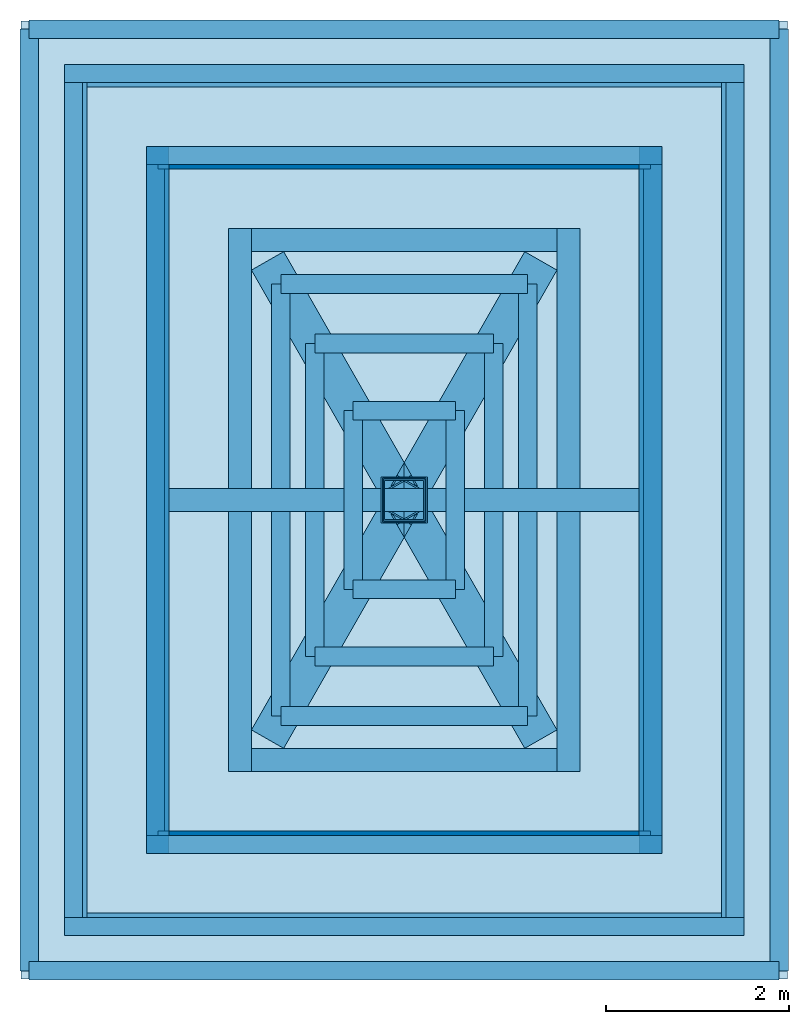
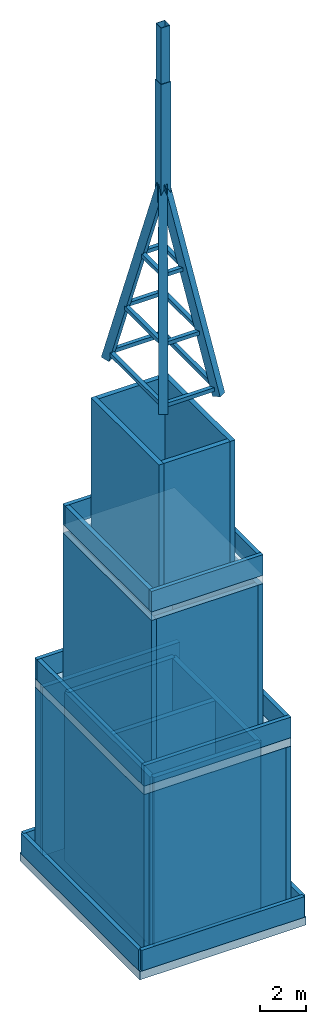
# One storey: 29 walls, 18 members, 3 slabs.
"""IFC4 building model written with IfcOpenShell, lengths in metres."""

from ifc_helpers import new_model, si_unit, direction, frame, frame_2d, origin, origin_2d, place, context, subcontext, project, spatial, polyline, rectangle, hollow_rectangle, outline, extrude, source, transform, mapped, material, layer, layer_set, material_profile, profile_set, type_object, element, save


model = new_model("IFC4")

# Units and contexts
model_context = context("Model", 3, precision=1e-05, world=origin(), true_north=direction((0.0, 1.0)))
body_context = subcontext(model_context, "Body", "Model", "MODEL_VIEW")
ifc_project = project(units=[si_unit("LENGTHUNIT", "METRE"), si_unit("AREAUNIT", "SQUARE_METRE"), si_unit("VOLUMEUNIT", "CUBIC_METRE"), si_unit("PLANEANGLEUNIT", "RADIAN"), si_unit("MASSUNIT", "GRAM", prefix="KILO")], contexts=[model_context])

# Site, building, storey
site_placement = place(None, origin())
site = spatial("IfcSite", under=ifc_project, at=site_placement, CompositionType="ELEMENT")
building_placement = place(site_placement, origin())
building = spatial("IfcBuilding", under=site, at=building_placement, Name="Aurelian Terraces", CompositionType="ELEMENT")
storey_placement = place(building_placement, frame((0.0, 0.0, 403.5)))
storey = spatial("IfcBuildingStorey", under=building, at=storey_placement, Name="ROOF", CompositionType="ELEMENT", Elevation=403.5)

# Members
ifc_material_1 = material(Name="Steel ASTM A500 Gr C", Category="steel")
ifc_material_profile_1 = material_profile(ifc_material_1, hollow_rectangle(XDim=0.4572, YDim=0.4572, WallThickness=0.0148, at=origin_2d()))
ifc_profile_set_1 = profile_set([ifc_material_profile_1], Name="Steel ASTM A500 Gr C")
member_type_1 = type_object("IfcMemberType", Name="SPIRE FINIAL HSS18X18X5/8", PredefinedType="STUD", material=ifc_profile_set_1)
member_1_placement = place(storey_placement, frame((42.0, 5.25, 43.0), z_axis=(0.0, 0.0, 1.0), x_axis=(1.0, 0.0, 0.0)))
element("IfcMember", 1, at=member_1_placement, inside=storey, type_object=member_type_1, Name="Spire finial", PredefinedType="STUD", context=body_context, shape_type="SweptSolid", body=[
    extrude(hollow_rectangle(XDim=0.4572, YDim=0.4572, WallThickness=0.0148, at=origin_2d()), origin(), (0.0, 0.0, 1.0), 3.0),
])
ifc_material_profile_2 = material_profile(ifc_material_1, hollow_rectangle(XDim=0.4064, YDim=0.4064, WallThickness=0.0177, at=origin_2d()))
ifc_profile_set_2 = profile_set([ifc_material_profile_2], Name="Steel ASTM A500 Gr C")
member_type_2 = type_object("IfcMemberType", Name="SPIRE LEG HSS16X16X3/4", PredefinedType="BRACE", material=ifc_profile_set_2)
member_2_placement = place(storey_placement, frame((40.6, 2.8, 27.2), z_axis=(0.130619920067, 0.228584860117, 0.964721409635), x_axis=(-0.868243142124, 0.496138938357, 0.0)))
element("IfcMember", 2, at=member_2_placement, inside=storey, type_object=member_type_2, Name="Spire leg 1", PredefinedType="BRACE", context=body_context, shape_type="SweptSolid", body=[
    extrude(hollow_rectangle(XDim=0.4064, YDim=0.4064, WallThickness=0.0177, at=origin_2d()), origin(), (0.0, 0.0, 1.0), 10.7181),
])
ifc_material_profile_3 = material_profile(ifc_material_1, hollow_rectangle(XDim=0.508, YDim=0.508, WallThickness=0.0148, at=origin_2d()))
ifc_profile_set_3 = profile_set([ifc_material_profile_3], Name="Steel ASTM A500 Gr C")
member_type_3 = type_object("IfcMemberType", Name="SPIRE MAST HSS20X20X5/8", PredefinedType="STUD", material=ifc_profile_set_3)
member_3_placement = place(storey_placement, frame((42.0, 5.25, 36.54), z_axis=(0.0, 0.0, 1.0), x_axis=(1.0, 0.0, 0.0)))
element("IfcMember", 3, at=member_3_placement, inside=storey, type_object=member_type_3, Name="Spire mast", PredefinedType="STUD", context=body_context, shape_type="SweptSolid", body=[
    extrude(hollow_rectangle(XDim=0.508, YDim=0.508, WallThickness=0.0148, at=origin_2d()), origin(), (0.0, 0.0, 1.0), 6.46),
])
ifc_material_profile_4 = material_profile(ifc_material_1, hollow_rectangle(XDim=0.2032, YDim=0.2032, WallThickness=0.0089, at=origin_2d()))
ifc_profile_set_4 = profile_set([ifc_material_profile_4], Name="Steel ASTM A500 Gr C")
member_type_4 = type_object("IfcMemberType", Name="SPIRE RING HSS8X8X3/8", PredefinedType="BRACE", material=ifc_profile_set_4)
member_4_placement = place(storey_placement, frame((41.02, 3.535, 30.302), z_axis=(1.0, 0.0, 0.0), x_axis=(0.0, 1.0, 0.0)))
element("IfcMember", 4, at=member_4_placement, inside=storey, type_object=member_type_4, Name="Spire ring brace low 1", PredefinedType="BRACE", context=body_context, shape_type="SweptSolid", body=[
    extrude(hollow_rectangle(XDim=0.2032, YDim=0.2032, WallThickness=0.0089, at=origin_2d()), origin(), (0.0, 0.0, 1.0), 1.96),
])
member_5_placement = place(storey_placement, frame((42.98, 3.535, 30.302), z_axis=(0.0, 1.0, 0.0), x_axis=(-1.0, 0.0, 0.0)))
element("IfcMember", 5, at=member_5_placement, inside=storey, type_object=member_type_4, Name="Spire ring brace low 2", PredefinedType="BRACE", context=body_context, shape_type="SweptSolid", body=[
    extrude(hollow_rectangle(XDim=0.2032, YDim=0.2032, WallThickness=0.0089, at=origin_2d()), origin(), (0.0, 0.0, 1.0), 3.43),
])
member_6_placement = place(storey_placement, frame((41.44, 4.27, 33.404), z_axis=(1.0, 0.0, 0.0), x_axis=(0.0, 1.0, 0.0)))
element("IfcMember", 6, at=member_6_placement, inside=storey, type_object=member_type_4, Name="Spire ring brace high 1", PredefinedType="BRACE", context=body_context, shape_type="SweptSolid", body=[
    extrude(hollow_rectangle(XDim=0.2032, YDim=0.2032, WallThickness=0.0089, at=origin_2d()), origin(), (0.0, 0.0, 1.0), 1.12),
])
member_7_placement = place(storey_placement, frame((40.6474, 2.8829, 27.55), z_axis=(1.0, 0.0, 0.0), x_axis=(0.0, 1.0, 0.0)))
element("IfcMember", 7, at=member_7_placement, inside=storey, type_object=member_type_4, Name="Spire ring brace foot 1", PredefinedType="BRACE", context=body_context, shape_type="SweptSolid", body=[
    extrude(hollow_rectangle(XDim=0.2032, YDim=0.2032, WallThickness=0.0089, at=origin_2d()), origin(), (0.0, 0.0, 1.0), 2.7052),
])
member_8_placement = place(storey_placement, frame((43.3526, 2.8829, 27.55), z_axis=(0.0, 1.0, 0.0), x_axis=(-1.0, 0.0, 0.0)))
element("IfcMember", 8, at=member_8_placement, inside=storey, type_object=member_type_4, Name="Spire ring brace foot 2", PredefinedType="BRACE", context=body_context, shape_type="SweptSolid", body=[
    extrude(hollow_rectangle(XDim=0.2032, YDim=0.2032, WallThickness=0.0089, at=origin_2d()), origin(), (0.0, 0.0, 1.0), 4.7342),
])
shared_shape_1 = source(origin(), body_context, "Body", "SweptSolid", [
    extrude(hollow_rectangle(XDim=0.4064, YDim=0.4064, WallThickness=0.0177, at=origin_2d()), origin(), (0.0, 0.0, 1.0), 10.7181),
])
for number, where, z_axis, x_axis, name in (
    (9, (43.4, 2.8, 27.2), (-0.130619920067, 0.228584860117, 0.964721409635), (-0.868243142124, -0.496138938357, 0.0), "Spire leg 2"),
    (10, (40.6, 7.7, 27.2), (0.130619920067, -0.228584860117, 0.964721409635), (0.868243142124, 0.496138938357, 0.0), "Spire leg 3"),
    (11, (43.4, 7.7, 27.2), (-0.130619920067, -0.228584860117, 0.964721409635), (0.868243142124, -0.496138938357, 0.0), "Spire leg 4"),
):
    element("IfcMember", number, at=place(storey_placement, frame(where, z_axis=z_axis, x_axis=x_axis)), inside=storey, type_object=member_type_2, Name=name, PredefinedType="BRACE", context=body_context, shape_type="MappedRepresentation", body=[
        mapped(shared_shape_1, transform((0.0, 0.0, 0.0), scale=1.0)),
    ])
shared_shape_2 = source(origin(), body_context, "Body", "SweptSolid", [
    extrude(hollow_rectangle(XDim=0.2032, YDim=0.2032, WallThickness=0.0089, at=origin_2d()), origin(), (0.0, 0.0, 1.0), 1.96),
])
for number, where, z_axis, x_axis, name in (
    (12, (42.98, 6.965, 30.302), (-1.0, 0.0, 0.0), (0.0, -1.0, 0.0), "Spire ring brace low 3"),
    (13, (42.56, 4.27, 33.404), (0.0, 1.0, 0.0), (-1.0, 0.0, 0.0), "Spire ring brace high 2"),
    (14, (41.44, 6.23, 33.404), (0.0, -1.0, 0.0), (1.0, 0.0, 0.0), "Spire ring brace high 4"),
):
    element("IfcMember", number, at=place(storey_placement, frame(where, z_axis=z_axis, x_axis=x_axis)), inside=storey, type_object=member_type_4, Name=name, PredefinedType="BRACE", context=body_context, shape_type="MappedRepresentation", body=[
        mapped(shared_shape_2, transform((0.0, 0.0, 0.0), scale=1.0)),
    ])
shared_shape_3 = source(origin(), body_context, "Body", "SweptSolid", [
    extrude(hollow_rectangle(XDim=0.2032, YDim=0.2032, WallThickness=0.0089, at=origin_2d()), origin(), (0.0, 0.0, 1.0), 3.43),
])
member_9_placement = place(storey_placement, frame((41.02, 6.965, 30.302), z_axis=(0.0, -1.0, 0.0), x_axis=(1.0, 0.0, 0.0)))
element("IfcMember", 15, at=member_9_placement, inside=storey, type_object=member_type_4, Name="Spire ring brace low 4", PredefinedType="BRACE", context=body_context, shape_type="MappedRepresentation", body=[
    mapped(shared_shape_3, transform((0.0, 0.0, 0.0), scale=1.0)),
])
shared_shape_4 = source(origin(), body_context, "Body", "SweptSolid", [
    extrude(hollow_rectangle(XDim=0.2032, YDim=0.2032, WallThickness=0.0089, at=origin_2d()), origin(), (0.0, 0.0, 1.0), 1.12),
])
member_10_placement = place(storey_placement, frame((42.56, 6.23, 33.404), z_axis=(-1.0, 0.0, 0.0), x_axis=(0.0, -1.0, 0.0)))
element("IfcMember", 16, at=member_10_placement, inside=storey, type_object=member_type_4, Name="Spire ring brace high 3", PredefinedType="BRACE", context=body_context, shape_type="MappedRepresentation", body=[
    mapped(shared_shape_4, transform((0.0, 0.0, 0.0), scale=1.0)),
])
shared_shape_5 = source(origin(), body_context, "Body", "SweptSolid", [
    extrude(hollow_rectangle(XDim=0.2032, YDim=0.2032, WallThickness=0.0089, at=origin_2d()), origin(), (0.0, 0.0, 1.0), 2.7052),
])
member_11_placement = place(storey_placement, frame((43.3526, 7.6171, 27.55), z_axis=(-1.0, 0.0, 0.0), x_axis=(0.0, -1.0, 0.0)))
element("IfcMember", 17, at=member_11_placement, inside=storey, type_object=member_type_4, Name="Spire ring brace foot 3", PredefinedType="BRACE", context=body_context, shape_type="MappedRepresentation", body=[
    mapped(shared_shape_5, transform((0.0, 0.0, 0.0), scale=1.0)),
])
shared_shape_6 = source(origin(), body_context, "Body", "SweptSolid", [
    extrude(hollow_rectangle(XDim=0.2032, YDim=0.2032, WallThickness=0.0089, at=origin_2d()), origin(), (0.0, 0.0, 1.0), 4.7342),
])
member_12_placement = place(storey_placement, frame((40.6474, 7.6171, 27.55), z_axis=(0.0, -1.0, 0.0), x_axis=(1.0, 0.0, 0.0)))
element("IfcMember", 18, at=member_12_placement, inside=storey, type_object=member_type_4, Name="Spire ring brace foot 4", PredefinedType="BRACE", context=body_context, shape_type="MappedRepresentation", body=[
    mapped(shared_shape_6, transform((0.0, 0.0, 0.0), scale=1.0)),
])

# Slabs
ifc_material_2 = material(Name="Concrete fc' 40 MPa", Category="concrete")
ifc_layer_1 = layer(ifc_material_2, 0.45)
ifc_layer_set_1 = layer_set([ifc_layer_1], Name="CROWN ROOF SLAB 450")
slab_type_1 = type_object("IfcSlabType", Name="CROWN ROOF SLAB 450", PredefinedType="ROOF", material=ifc_layer_set_1)
slab_1_placement = place(storey_placement, frame((0.0, 0.0, 9.0)))
element("IfcSlab", 19, at=slab_1_placement, inside=storey, type_object=slab_type_1, Name="Crown tier roof slab LR1", PredefinedType="ROOF", context=body_context, shape_type="SweptSolid", body=[
    extrude(outline(polyline([(45.725, 0.475), (45.725, 10.025), (38.275, 10.025), (38.275, 0.475), (45.725, 0.475)])), origin(), (0.0, 0.0, 1.0), 0.45),
])
slab_2_placement = place(storey_placement, frame((0.0, 0.0, 17.45)))
element("IfcSlab", 20, at=slab_2_placement, inside=storey, type_object=slab_type_1, Name="Crown tier roof slab LR2", PredefinedType="ROOF", context=body_context, shape_type="SweptSolid", body=[
    extrude(outline(polyline([(44.825, 1.375), (44.825, 9.125), (39.175, 9.125), (39.175, 1.375), (44.825, 1.375)])), origin(), (0.0, 0.0, 1.0), 0.45),
])
ifc_layer_2 = layer(ifc_material_2, 0.45)
ifc_layer_set_2 = layer_set([ifc_layer_2], Name="Roof slab 450")
slab_type_2 = type_object("IfcSlabType", Name="Roof slab 450", PredefinedType="ROOF", material=ifc_layer_set_2)
slab_3_placement = place(storey_placement, frame((0.0, 0.0, -0.45)))
element("IfcSlab", 21, at=slab_3_placement, inside=storey, type_object=slab_type_2, Name="Roof slab ROOF ROOF-X1", PredefinedType="ROOF", context=body_context, shape_type="SweptSolid", body=[
    extrude(outline(polyline([(37.8, 10.5), (46.2, 10.5), (46.2, 0.0), (37.8, 0.0), (37.8, 10.5)])), origin(), (0.0, 0.0, 1.0), 0.45),
])

# Walls
ifc_layer_3 = layer(ifc_material_2, 0.2)
ifc_layer_set_3 = layer_set([ifc_layer_3], Name="CROWN PARAPET 200 FC40")
wall_type_1 = type_object("IfcWallType", Name="CROWN PARAPET 200 FC40", PredefinedType="SOLIDWALL", material=ifc_layer_set_3)
wall_1_placement = place(storey_placement, frame((38.275, 0.575, 9.45), z_axis=(0.0, 0.0, 1.0), x_axis=(1.0, 0.0, 0.0)))
element("IfcWall", 22, at=wall_1_placement, inside=storey, type_object=wall_type_1, Name="Crown roof parapet LR1", PredefinedType="SOLIDWALL", context=body_context, shape_type="SweptSolid", body=[
    extrude(rectangle(XDim=7.45, YDim=0.2, at=frame_2d((3.725, 0.0))), origin(), (0.0, 0.0, 1.0), 1.1),
])
wall_2_placement = place(storey_placement, frame((45.625, 0.675, 9.45), z_axis=(0.0, 0.0, 1.0), x_axis=(0.0, 1.0, 0.0)))
element("IfcWall", 23, at=wall_2_placement, inside=storey, type_object=wall_type_1, Name="Crown roof parapet LR1", PredefinedType="SOLIDWALL", context=body_context, shape_type="SweptSolid", body=[
    extrude(rectangle(XDim=9.15, YDim=0.2, at=frame_2d((4.575, 0.0))), origin(), (0.0, 0.0, 1.0), 1.1),
])
wall_3_placement = place(storey_placement, frame((39.175, 1.475, 17.9), z_axis=(0.0, 0.0, 1.0), x_axis=(1.0, 0.0, 0.0)))
element("IfcWall", 24, at=wall_3_placement, inside=storey, type_object=wall_type_1, Name="Crown roof parapet LR2", PredefinedType="SOLIDWALL", context=body_context, shape_type="SweptSolid", body=[
    extrude(rectangle(XDim=5.65, YDim=0.2, at=frame_2d((2.825, 0.0))), origin(), (0.0, 0.0, 1.0), 1.1),
])
wall_4_placement = place(storey_placement, frame((44.725, 1.575, 17.9), z_axis=(0.0, 0.0, 1.0), x_axis=(0.0, 1.0, 0.0)))
element("IfcWall", 25, at=wall_4_placement, inside=storey, type_object=wall_type_1, Name="Crown roof parapet LR2", PredefinedType="SOLIDWALL", context=body_context, shape_type="SweptSolid", body=[
    extrude(rectangle(XDim=7.35, YDim=0.2, at=frame_2d((3.675, 0.0))), origin(), (0.0, 0.0, 1.0), 1.1),
])
ifc_material_3 = material(Name="Concrete fc' 55 MPa", Category="concrete")
ifc_layer_4 = layer(ifc_material_3, 0.25)
ifc_layer_set_4 = layer_set([ifc_layer_4], Name="PLANT PENTHOUSE 250 FC55")
wall_type_2 = type_object("IfcWallType", Name="PLANT PENTHOUSE 250 FC55", PredefinedType="SOLIDWALL", material=ifc_layer_set_4)
wall_5_placement = place(storey_placement, frame((39.3, 1.5, 0.0), z_axis=(0.0, 0.0, 1.0), x_axis=(1.0, 0.0, 0.0)))
element("IfcWall", 26, at=wall_5_placement, inside=storey, type_object=wall_type_2, Name="Plant room wall", PredefinedType="SOLIDWALL", context=body_context, shape_type="SweptSolid", body=[
    extrude(rectangle(XDim=5.4, YDim=0.25, at=frame_2d((2.7, 0.0))), origin(), (0.0, 0.0, 1.0), 9.0),
])
wall_6_placement = place(storey_placement, frame((44.7, 1.5, 0.0), z_axis=(0.0, 0.0, 1.0), x_axis=(0.0, 1.0, 0.0)))
element("IfcWall", 27, at=wall_6_placement, inside=storey, type_object=wall_type_2, Name="Plant room wall", PredefinedType="SOLIDWALL", context=body_context, shape_type="SweptSolid", body=[
    extrude(rectangle(XDim=7.5, YDim=0.25, at=frame_2d((3.75, 0.0))), origin(), (0.0, 0.0, 1.0), 9.0),
])
wall_7_placement = place(storey_placement, frame((39.425, 5.25, 0.0), z_axis=(0.0, 0.0, 1.0), x_axis=(1.0, 0.0, 0.0)))
element("IfcWall", 28, at=wall_7_placement, inside=storey, type_object=wall_type_2, Name="Plant room wall", PredefinedType="SOLIDWALL", context=body_context, shape_type="SweptSolid", body=[
    extrude(rectangle(XDim=5.15, YDim=0.25, at=frame_2d((2.575, 0.0))), origin(), (0.0, 0.0, 1.0), 9.0),
])
wall_8_placement = place(storey_placement, frame((38.525, 0.6, 0.0), z_axis=(0.0, 0.0, 1.0), x_axis=(1.0, 0.0, 0.0)))
element("IfcWall", 29, at=wall_8_placement, inside=storey, type_object=wall_type_2, Name="Crown tier wall LR1", PredefinedType="SOLIDWALL", context=body_context, shape_type="SweptSolid", body=[
    extrude(rectangle(XDim=6.95, YDim=0.25, at=frame_2d((3.475, 0.0))), origin(), (0.0, 0.0, 1.0), 9.0),
])
wall_9_placement = place(storey_placement, frame((45.6, 0.475, 0.0), z_axis=(0.0, 0.0, 1.0), x_axis=(0.0, 1.0, 0.0)))
element("IfcWall", 30, at=wall_9_placement, inside=storey, type_object=wall_type_2, Name="Crown tier wall LR1", PredefinedType="SOLIDWALL", context=body_context, shape_type="SweptSolid", body=[
    extrude(rectangle(XDim=9.55, YDim=0.25, at=frame_2d((4.775, 0.0))), origin(), (0.0, 0.0, 1.0), 9.0),
])
wall_10_placement = place(storey_placement, frame((39.425, 1.5, 9.45), z_axis=(0.0, 0.0, 1.0), x_axis=(1.0, 0.0, 0.0)))
element("IfcWall", 31, at=wall_10_placement, inside=storey, type_object=wall_type_2, Name="Crown tier wall LR2", PredefinedType="SOLIDWALL", context=body_context, shape_type="SweptSolid", body=[
    extrude(rectangle(XDim=5.15, YDim=0.25, at=frame_2d((2.575, 0.0))), origin(), (0.0, 0.0, 1.0), 8.0),
])
wall_11_placement = place(storey_placement, frame((44.7, 1.375, 9.45), z_axis=(0.0, 0.0, 1.0), x_axis=(0.0, 1.0, 0.0)))
element("IfcWall", 32, at=wall_11_placement, inside=storey, type_object=wall_type_2, Name="Crown tier wall LR2", PredefinedType="SOLIDWALL", context=body_context, shape_type="SweptSolid", body=[
    extrude(rectangle(XDim=7.75, YDim=0.25, at=frame_2d((3.875, 0.0))), origin(), (0.0, 0.0, 1.0), 8.0),
])
wall_12_placement = place(storey_placement, frame((40.325, 2.4, 17.9), z_axis=(0.0, 0.0, 1.0), x_axis=(1.0, 0.0, 0.0)))
element("IfcWall", 33, at=wall_12_placement, inside=storey, type_object=wall_type_2, Name="Crown tier wall LR3", PredefinedType="SOLIDWALL", context=body_context, shape_type="SweptSolid", body=[
    extrude(rectangle(XDim=3.35, YDim=0.25, at=frame_2d((1.675, 0.0))), origin(), (0.0, 0.0, 1.0), 7.0),
])
wall_13_placement = place(storey_placement, frame((43.8, 2.275, 17.9), z_axis=(0.0, 0.0, 1.0), x_axis=(0.0, 1.0, 0.0)))
element("IfcWall", 34, at=wall_13_placement, inside=storey, type_object=wall_type_2, Name="Crown tier wall LR3", PredefinedType="SOLIDWALL", context=body_context, shape_type="SweptSolid", body=[
    extrude(rectangle(XDim=5.95, YDim=0.25, at=frame_2d((2.975, 0.0))), origin(), (0.0, 0.0, 1.0), 7.0),
])
shared_shape_7 = source(origin(), body_context, "Body", "SweptSolid", [
    extrude(rectangle(XDim=5.4, YDim=0.25, at=frame_2d((2.7, 0.0))), origin(), (0.0, 0.0, 1.0), 9.0),
])
wall_14_placement = place(storey_placement, frame((44.7, 9.0, 0.0), z_axis=(0.0, 0.0, 1.0), x_axis=(-1.0, 0.0, 0.0)))
element("IfcWall", 35, at=wall_14_placement, inside=storey, type_object=wall_type_2, Name="Plant room wall", PredefinedType="SOLIDWALL", context=body_context, shape_type="MappedRepresentation", body=[
    mapped(shared_shape_7, transform((0.0, 0.0, 0.0), scale=1.0)),
])
shared_shape_8 = source(origin(), body_context, "Body", "SweptSolid", [
    extrude(rectangle(XDim=7.5, YDim=0.25, at=frame_2d((3.75, 0.0))), origin(), (0.0, 0.0, 1.0), 9.0),
])
wall_15_placement = place(storey_placement, frame((39.3, 9.0, 0.0), z_axis=(0.0, 0.0, 1.0), x_axis=(0.0, -1.0, 0.0)))
element("IfcWall", 36, at=wall_15_placement, inside=storey, type_object=wall_type_2, Name="Plant room wall", PredefinedType="SOLIDWALL", context=body_context, shape_type="MappedRepresentation", body=[
    mapped(shared_shape_8, transform((0.0, 0.0, 0.0), scale=1.0)),
])
shared_shape_9 = source(origin(), body_context, "Body", "SweptSolid", [
    extrude(rectangle(XDim=6.95, YDim=0.25, at=frame_2d((3.475, 0.0))), origin(), (0.0, 0.0, 1.0), 9.0),
])
wall_16_placement = place(storey_placement, frame((45.475, 9.9, 0.0), z_axis=(0.0, 0.0, 1.0), x_axis=(-1.0, 0.0, 0.0)))
element("IfcWall", 37, at=wall_16_placement, inside=storey, type_object=wall_type_2, Name="Crown tier wall LR1", PredefinedType="SOLIDWALL", context=body_context, shape_type="MappedRepresentation", body=[
    mapped(shared_shape_9, transform((0.0, 0.0, 0.0), scale=1.0)),
])
shared_shape_10 = source(origin(), body_context, "Body", "SweptSolid", [
    extrude(rectangle(XDim=9.55, YDim=0.25, at=frame_2d((4.775, 0.0))), origin(), (0.0, 0.0, 1.0), 9.0),
])
wall_17_placement = place(storey_placement, frame((38.4, 10.025, 0.0), z_axis=(0.0, 0.0, 1.0), x_axis=(0.0, -1.0, 0.0)))
element("IfcWall", 38, at=wall_17_placement, inside=storey, type_object=wall_type_2, Name="Crown tier wall LR1", PredefinedType="SOLIDWALL", context=body_context, shape_type="MappedRepresentation", body=[
    mapped(shared_shape_10, transform((0.0, 0.0, 0.0), scale=1.0)),
])
shared_shape_11 = source(origin(), body_context, "Body", "SweptSolid", [
    extrude(rectangle(XDim=7.45, YDim=0.2, at=frame_2d((3.725, 0.0))), origin(), (0.0, 0.0, 1.0), 1.1),
])
wall_18_placement = place(storey_placement, frame((38.275, 9.925, 9.45), z_axis=(0.0, 0.0, 1.0), x_axis=(1.0, 0.0, 0.0)))
element("IfcWall", 39, at=wall_18_placement, inside=storey, type_object=wall_type_1, Name="Crown roof parapet LR1", PredefinedType="SOLIDWALL", context=body_context, shape_type="MappedRepresentation", body=[
    mapped(shared_shape_11, transform((0.0, 0.0, 0.0), scale=1.0)),
])
shared_shape_12 = source(origin(), body_context, "Body", "SweptSolid", [
    extrude(rectangle(XDim=9.15, YDim=0.2, at=frame_2d((4.575, 0.0))), origin(), (0.0, 0.0, 1.0), 1.1),
])
wall_19_placement = place(storey_placement, frame((38.375, 0.675, 9.45), z_axis=(0.0, 0.0, 1.0), x_axis=(0.0, 1.0, 0.0)))
element("IfcWall", 40, at=wall_19_placement, inside=storey, type_object=wall_type_1, Name="Crown roof parapet LR1", PredefinedType="SOLIDWALL", context=body_context, shape_type="MappedRepresentation", body=[
    mapped(shared_shape_12, transform((0.0, 0.0, 0.0), scale=1.0)),
])
shared_shape_13 = source(origin(), body_context, "Body", "SweptSolid", [
    extrude(rectangle(XDim=5.15, YDim=0.25, at=frame_2d((2.575, 0.0))), origin(), (0.0, 0.0, 1.0), 8.0),
])
wall_20_placement = place(storey_placement, frame((44.575, 9.0, 9.45), z_axis=(0.0, 0.0, 1.0), x_axis=(-1.0, 0.0, 0.0)))
element("IfcWall", 41, at=wall_20_placement, inside=storey, type_object=wall_type_2, Name="Crown tier wall LR2", PredefinedType="SOLIDWALL", context=body_context, shape_type="MappedRepresentation", body=[
    mapped(shared_shape_13, transform((0.0, 0.0, 0.0), scale=1.0)),
])
shared_shape_14 = source(origin(), body_context, "Body", "SweptSolid", [
    extrude(rectangle(XDim=7.75, YDim=0.25, at=frame_2d((3.875, 0.0))), origin(), (0.0, 0.0, 1.0), 8.0),
])
wall_21_placement = place(storey_placement, frame((39.3, 9.125, 9.45), z_axis=(0.0, 0.0, 1.0), x_axis=(0.0, -1.0, 0.0)))
element("IfcWall", 42, at=wall_21_placement, inside=storey, type_object=wall_type_2, Name="Crown tier wall LR2", PredefinedType="SOLIDWALL", context=body_context, shape_type="MappedRepresentation", body=[
    mapped(shared_shape_14, transform((0.0, 0.0, 0.0), scale=1.0)),
])
shared_shape_15 = source(origin(), body_context, "Body", "SweptSolid", [
    extrude(rectangle(XDim=5.65, YDim=0.2, at=frame_2d((2.825, 0.0))), origin(), (0.0, 0.0, 1.0), 1.1),
])
wall_22_placement = place(storey_placement, frame((39.175, 9.025, 17.9), z_axis=(0.0, 0.0, 1.0), x_axis=(1.0, 0.0, 0.0)))
element("IfcWall", 43, at=wall_22_placement, inside=storey, type_object=wall_type_1, Name="Crown roof parapet LR2", PredefinedType="SOLIDWALL", context=body_context, shape_type="MappedRepresentation", body=[
    mapped(shared_shape_15, transform((0.0, 0.0, 0.0), scale=1.0)),
])
shared_shape_16 = source(origin(), body_context, "Body", "SweptSolid", [
    extrude(rectangle(XDim=7.35, YDim=0.2, at=frame_2d((3.675, 0.0))), origin(), (0.0, 0.0, 1.0), 1.1),
])
wall_23_placement = place(storey_placement, frame((39.275, 1.575, 17.9), z_axis=(0.0, 0.0, 1.0), x_axis=(0.0, 1.0, 0.0)))
element("IfcWall", 44, at=wall_23_placement, inside=storey, type_object=wall_type_1, Name="Crown roof parapet LR2", PredefinedType="SOLIDWALL", context=body_context, shape_type="MappedRepresentation", body=[
    mapped(shared_shape_16, transform((0.0, 0.0, 0.0), scale=1.0)),
])
shared_shape_17 = source(origin(), body_context, "Body", "SweptSolid", [
    extrude(rectangle(XDim=3.35, YDim=0.25, at=frame_2d((1.675, 0.0))), origin(), (0.0, 0.0, 1.0), 7.0),
])
wall_24_placement = place(storey_placement, frame((43.675, 8.1, 17.9), z_axis=(0.0, 0.0, 1.0), x_axis=(-1.0, 0.0, 0.0)))
element("IfcWall", 45, at=wall_24_placement, inside=storey, type_object=wall_type_2, Name="Crown tier wall LR3", PredefinedType="SOLIDWALL", context=body_context, shape_type="MappedRepresentation", body=[
    mapped(shared_shape_17, transform((0.0, 0.0, 0.0), scale=1.0)),
])
shared_shape_18 = source(origin(), body_context, "Body", "SweptSolid", [
    extrude(rectangle(XDim=5.95, YDim=0.25, at=frame_2d((2.975, 0.0))), origin(), (0.0, 0.0, 1.0), 7.0),
])
wall_25_placement = place(storey_placement, frame((40.2, 8.225, 17.9), z_axis=(0.0, 0.0, 1.0), x_axis=(0.0, -1.0, 0.0)))
element("IfcWall", 46, at=wall_25_placement, inside=storey, type_object=wall_type_2, Name="Crown tier wall LR3", PredefinedType="SOLIDWALL", context=body_context, shape_type="MappedRepresentation", body=[
    mapped(shared_shape_18, transform((0.0, 0.0, 0.0), scale=1.0)),
])
ifc_material_4 = material(Name="Terracotta rainscreen cladding", Category="masonry")
ifc_layer_5 = layer(ifc_material_4, 0.2)
ifc_layer_set_5 = layer_set([ifc_layer_5], Name="PARAPET-200")
wall_type_3 = type_object("IfcWallType", Name="PARAPET-200", PredefinedType="PARAPET", material=ifc_layer_set_5)
shared_shape_19 = source(origin(), body_context, "Body", "SweptSolid", [
    extrude(rectangle(XDim=10.32, YDim=0.2, at=frame_2d((5.16, 0.0))), origin(), (0.0, 0.0, 1.0), 1.1),
])
for number, where, z_axis, x_axis, name in (
    (47, (46.11, 10.41, 0.0), (0.0, 0.0, 1.0), (0.0, -1.0, 0.0), "Parapet ROOF ROOF-X1"),
    (48, (37.89, 0.09, 0.0), (0.0, 0.0, 1.0), (0.0, 1.0, 0.0), "Parapet ROOF ROOF-X1"),
):
    element("IfcWall", number, at=place(storey_placement, frame(where, z_axis=z_axis, x_axis=x_axis)), inside=storey, type_object=wall_type_3, Name=name, PredefinedType="PARAPET", context=body_context, shape_type="MappedRepresentation", body=[
        mapped(shared_shape_19, transform((0.0, 0.0, 0.0), scale=1.0)),
    ])
shared_shape_20 = source(origin(), body_context, "Body", "SweptSolid", [
    extrude(rectangle(XDim=8.22, YDim=0.2, at=frame_2d((4.11, 0.0))), origin(), (0.0, 0.0, 1.0), 1.1),
])
for number, where, z_axis, x_axis, name in (
    (49, (37.89, 10.41, 0.0), (0.0, 0.0, 1.0), (1.0, 0.0, 0.0), "Parapet ROOF ROOF-X1"),
    (50, (46.11, 0.09, 0.0), (0.0, 0.0, 1.0), (-1.0, 0.0, 0.0), "Parapet ROOF ROOF-X1"),
):
    element("IfcWall", number, at=place(storey_placement, frame(where, z_axis=z_axis, x_axis=x_axis)), inside=storey, type_object=wall_type_3, Name=name, PredefinedType="PARAPET", context=body_context, shape_type="MappedRepresentation", body=[
        mapped(shared_shape_20, transform((0.0, 0.0, 0.0), scale=1.0)),
    ])

save(model, "model.ifc")
